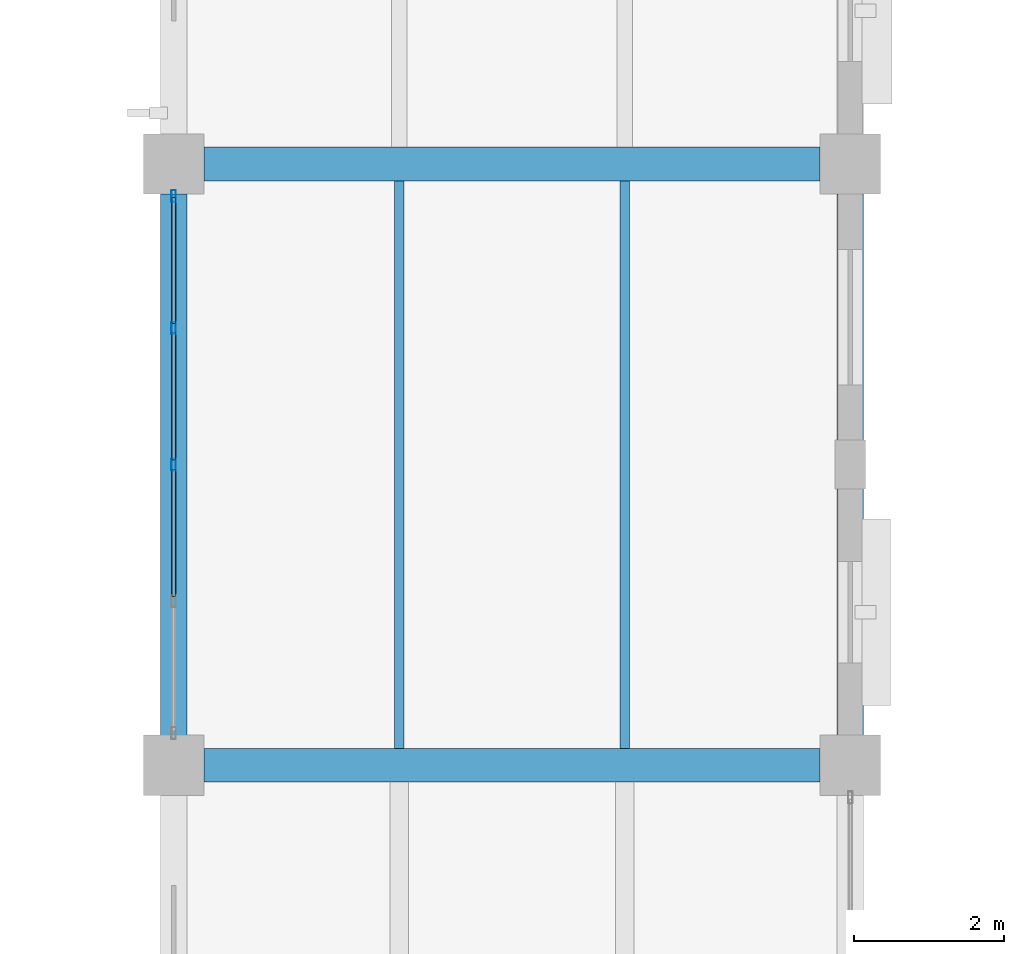
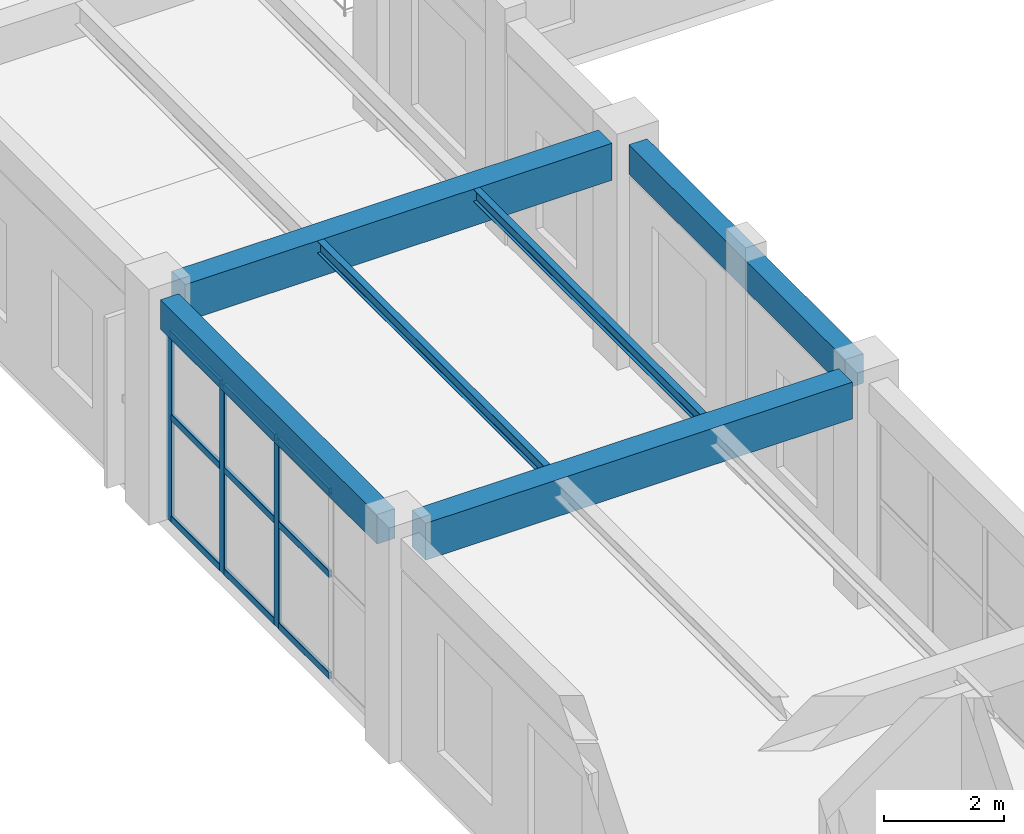
# One storey, part 102 of 178: 12 members, 6 beams, 1 element without a shape of its own.
"""IFC4 building model written with IfcOpenShell, lengths in metres."""

import ifcopenshell
import ifcopenshell.guid

model = None  # the IFC model being written
_history = None  # IfcOwnerHistory: only IFC2X3 demands one
_inside = {}  # id of a spatial element -> (the spatial element, [elements in it])
_under = {}  # id of a project, library or spatial element -> (it, [spatial elements below it])
_declared = {}  # id of a project -> (the project, [libraries it declares])
_typed = {}  # id of a type object -> (the type object, [elements of that type])
_made_of = {}  # id of a material, layer set ... -> (it, [elements and type objects made of it])


def new_model(schema):
    """Start an empty IFC model of exactly this schema.

    Asked for "IFC4X3", IfcOpenShell would pick the latest addendum, in which some entities
    have other attributes; the version numbers below select the first issue.
    IFC2X3 requires an IfcOwnerHistory on every rooted entity: one is made here for all.
    """
    global model, _history
    if schema == "IFC4X3":
        model = ifcopenshell.file(schema_version=(4, 3, 0, 0))
    else:
        model = ifcopenshell.file(schema=schema)
    _inside.clear()
    _under.clear()
    _declared.clear()
    _typed.clear()
    _made_of.clear()
    _history = None
    if model.schema == "IFC2X3":
        org = make("IfcOrganization", Name="unknown")
        user = make(
            "IfcPersonAndOrganization",
            ThePerson=make("IfcPerson", FamilyName="unknown"),
            TheOrganization=org,
        )
        app = make(
            "IfcApplication",
            ApplicationDeveloper=org,
            Version="unknown",
            ApplicationFullName="unknown",
            ApplicationIdentifier="unknown",
        )
        _history = make(
            "IfcOwnerHistory",
            OwningUser=user,
            OwningApplication=app,
            ChangeAction="ADDED",
            CreationDate=0,
        )
    return model


def make(cls, **values):
    """One entity of the class cls with the attributes given. An attribute that is None is left unset."""
    return model.create_entity(
        cls, **{name: value for name, value in values.items() if value is not None}
    )


def rooted(cls, **values):
    """An entity with a GlobalId (a new one), such as an element, a storey or a relation."""
    return make(cls, GlobalId=ifcopenshell.guid.new(), OwnerHistory=_history, **values)


def si_unit(unit_type, name, prefix=None):
    """IfcSIUnit, for example si_unit("LENGTHUNIT", "METRE", prefix="MILLI")."""
    return make("IfcSIUnit", UnitType=unit_type, Prefix=prefix, Name=name)


def derived_unit(unit_type, elements):
    """IfcDerivedUnit: a product of units, each with its exponent."""
    return make(
        "IfcDerivedUnit",
        Elements=[
            make("IfcDerivedUnitElement", Unit=unit, Exponent=power)
            for unit, power in elements
        ],
        UnitType=unit_type,
    )


def assignment(units):
    """IfcUnitAssignment: the units of a project."""
    return None if units is None else make("IfcUnitAssignment", Units=units)


def point(xyz):
    """IfcCartesianPoint."""
    return None if xyz is None else make("IfcCartesianPoint", Coordinates=xyz)


def direction(xyz):
    """IfcDirection."""
    return None if xyz is None else make("IfcDirection", DirectionRatios=xyz)


def frame(location, z_axis=None, x_axis=None):
    """IfcAxis2Placement3D, a coordinate frame: its origin and axes. An axis left out is left unset."""
    return make(
        "IfcAxis2Placement3D",
        Location=point(location),
        Axis=direction(z_axis),
        RefDirection=direction(x_axis),
    )


def frame_2d(location, x_axis=None):
    """IfcAxis2Placement2D, a coordinate frame in the plane: its origin and x axis."""
    return make(
        "IfcAxis2Placement2D", Location=point(location), RefDirection=direction(x_axis)
    )


def origin():
    """The frame at (0, 0, 0) with its axes left unset."""
    return frame((0.0, 0.0, 0.0))


def origin_2d():
    """The frame at (0, 0) in the plane with its x axis left unset."""
    return frame_2d((0.0, 0.0))


def place(relative_to, where):
    """IfcLocalPlacement: puts the frame where relative to a parent placement (None: the world)."""
    return make(
        "IfcLocalPlacement", PlacementRelTo=relative_to, RelativePlacement=where
    )


def context(
    kind, dimensions, precision=None, world=None, true_north=None, identifier=None
):
    """IfcGeometricRepresentationContext, for example the 3D "Model" context."""
    return make(
        "IfcGeometricRepresentationContext",
        ContextIdentifier=identifier,
        ContextType=kind,
        CoordinateSpaceDimension=dimensions,
        Precision=precision,
        WorldCoordinateSystem=world,
        TrueNorth=true_north,
    )


def subcontext(parent, identifier, kind, view, scale=None):
    """IfcGeometricRepresentationSubContext, for example "Body" below "Model"."""
    return make(
        "IfcGeometricRepresentationSubContext",
        ContextIdentifier=identifier,
        ContextType=kind,
        ParentContext=parent,
        TargetScale=scale,
        TargetView=view,
    )


def project(units=None, contexts=None):
    """IfcProject with its units and contexts."""
    return rooted(
        "IfcProject",
        Name="project",
        RepresentationContexts=contexts,
        UnitsInContext=assignment(units),
    )


def spatial(cls, under=None, at=None, **own):
    """A site, building, storey or space (cls), placed at a placement, below another one or the project."""
    s = rooted(cls, ObjectPlacement=at, **own)
    if under is not None:
        _under.setdefault(under.id(), (under, []))[1].append(s)
    return s


def profile(cls, at=None, kind="AREA", **sizes):
    """A parametric profile (cls). Its sizes go by their IFC names, for example OverallWidth=200.0."""
    return make(cls, ProfileType=kind, Position=at, **sizes)


def rectangle(**sizes):
    """IfcRectangleProfileDef."""
    return profile("IfcRectangleProfileDef", **sizes)


def hollow_rectangle(**sizes):
    """IfcRectangleHollowProfileDef."""
    return profile("IfcRectangleHollowProfileDef", **sizes)


def i_section(**sizes):
    """IfcIShapeProfileDef."""
    return profile("IfcIShapeProfileDef", **sizes)


def extrude(swept, where, along, depth):
    """IfcExtrudedAreaSolid: the profile swept, set in the frame where, extruded along a direction by depth."""
    return make(
        "IfcExtrudedAreaSolid",
        SweptArea=swept,
        Position=where,
        ExtrudedDirection=direction(along),
        Depth=depth,
    )


def shape(context_of_items, identifier, shape_type, items):
    """IfcShapeRepresentation: the items that make up one representation, for example the "Body"."""
    return make(
        "IfcShapeRepresentation",
        ContextOfItems=context_of_items,
        RepresentationIdentifier=identifier,
        RepresentationType=shape_type,
        Items=items,
    )


def material(Name=None, Category=None):
    """IfcMaterial."""
    return make("IfcMaterial", Name=Name, Category=Category)


def material_profile(
    of_material, cross_section, Name=None, Category=None, Priority=None
):
    """IfcMaterialProfile: a cross section and its material."""
    return make(
        "IfcMaterialProfile",
        Name=Name,
        Material=of_material,
        Profile=cross_section,
        Priority=Priority,
        Category=Category,
    )


def profile_set(profiles, Name=None, composite=None):
    """IfcMaterialProfileSet."""
    return make(
        "IfcMaterialProfileSet",
        Name=Name,
        MaterialProfiles=profiles,
        CompositeProfile=composite,
    )


def made_of(thing, what):
    """Note that an element or type object is made of a material, layer set ...; save() writes the relation."""
    if what is not None:
        _made_of.setdefault(what.id(), (what, []))[1].append(thing)
    return thing


def type_object(cls, material=None, **own):
    """A type object (cls), such as IfcWallType, which elements share."""
    return made_of(rooted(cls, **own), material)


def element(
    cls,
    number,
    at=None,
    inside=None,
    cuts=None,
    type_object=None,
    material=None,
    context=None,
    identifier="Body",
    shape_type=None,
    held_by="IfcProductDefinitionShape",
    body=None,
    shapes=None,
    **own,
):
    """One element of the class cls, such as IfcWall. Its Tag is "e" and its number.

    at: its placement. inside: the storey or other place that contains it. cuts: it is an
    opening in that element (IfcRelVoidsElement). A single representation is given by context,
    identifier, shape_type and body (its items); several are given by shapes. held_by: the class
    of the entity that holds the representations. save() writes the other relations.
    """
    e = rooted(cls, Tag="e%d" % number, ObjectPlacement=at, **own)
    if body is not None:
        shapes = [shape(context, identifier, shape_type, body)]
    if shapes is not None:
        e.Representation = make(held_by, Representations=shapes)
    if inside is not None:
        _inside.setdefault(inside.id(), (inside, []))[1].append(e)
    if cuts is not None:
        rooted(
            "IfcRelVoidsElement", RelatingBuildingElement=cuts, RelatedOpeningElement=e
        )
    if type_object is not None:
        _typed.setdefault(type_object.id(), (type_object, []))[1].append(e)
    return made_of(e, material)


def aggregate(whole, parts):
    """IfcRelAggregates: a whole, such as a stair, and the parts it consists of."""
    return rooted("IfcRelAggregates", RelatingObject=whole, RelatedObjects=parts)


def save(model, path):
    """Write the relations noted so far, then the file.

    IfcRelAggregates (storeys below a building ...), IfcRelContainedInSpatialStructure (elements
    in a storey), IfcRelDefinesByType, IfcRelAssociatesMaterial and IfcRelDeclares: one each for
    every whole, place, type object, material and project.
    """
    for whole, parts in _under.values():
        aggregate(whole, parts)
    for where, things in _inside.values():
        rooted(
            "IfcRelContainedInSpatialStructure",
            RelatedElements=things,
            RelatingStructure=where,
        )
    for kind, things in _typed.values():
        rooted("IfcRelDefinesByType", RelatedObjects=things, RelatingType=kind)
    for what, things in _made_of.values():
        rooted("IfcRelAssociatesMaterial", RelatedObjects=things, RelatingMaterial=what)
    for by, libraries in _declared.values():
        rooted("IfcRelDeclares", RelatingContext=by, RelatedDefinitions=libraries)
    model.write(path)


model = new_model("IFC4")

# Units and contexts
model_context = context("Model", 3, precision=1e-05, world=origin(), true_north=direction((0.0, 1.0)))
body_context = subcontext(model_context, "Body", "Model", "MODEL_VIEW")
ifc_project = project(units=[si_unit("LENGTHUNIT", "METRE"), si_unit("AREAUNIT", "SQUARE_METRE"), si_unit("VOLUMEUNIT", "CUBIC_METRE"), si_unit("PLANEANGLEUNIT", "RADIAN"), si_unit("MASSUNIT", "GRAM", prefix="KILO"), derived_unit("THERMALTRANSMITTANCEUNIT", [(si_unit("MASSUNIT", "GRAM", prefix="KILO"), 1), (si_unit("TIMEUNIT", "SECOND"), -3), (si_unit("THERMODYNAMICTEMPERATUREUNIT", "KELVIN"), -1)])], contexts=[model_context])

# Site, building, storey
site_placement = place(None, origin())
site = spatial("IfcSite", under=ifc_project, at=site_placement, CompositionType="ELEMENT")
building_placement = place(site_placement, origin())
building = spatial("IfcBuilding", under=site, at=building_placement, Name="Zhenchuan Archway Interchange", CompositionType="ELEMENT")
storey_placement = place(building_placement, frame((0.0, 0.0, 5.39990234375)))
storey = spatial("IfcBuildingStorey", under=building, at=storey_placement, Name="L01", CompositionType="ELEMENT", Elevation=5.39990234375)

# Beams
ifc_material_1 = material(Name="Concrete C40", Category="concrete")
ifc_material_profile_1 = material_profile(ifc_material_1, rectangle(XDim=0.449951171875, YDim=0.75, at=origin_2d()), Name="RC 450x750")
ifc_profile_set_1 = profile_set([ifc_material_profile_1], Name="Concrete C40")
beam_type_1 = type_object("IfcBeamType", Name="BM_RC_450x750", PredefinedType="BEAM", material=ifc_profile_set_1)
for number, where, z_axis, x_axis, name in (
    (1, (99.39990234375, 72.0, 4.135009765625), (1.0, 0.0, 0.0), (0.0, 1.0, 0.0), "Beam K:12-13 (L01)"),
    (2, (99.39990234375, 80.0, 4.135009765625), (1.0, 0.0, 0.0), (0.0, 1.0, 0.0), "Beam L:12-13 (L01)"),
):
    element("IfcBeam", number, at=place(storey_placement, frame(where, z_axis=z_axis, x_axis=x_axis)), inside=storey, type_object=beam_type_1, Name=name, PredefinedType="BEAM", context=body_context, shape_type="SweptSolid", body=[
        extrude(rectangle(XDim=0.449951171875, YDim=0.75, at=origin_2d()), origin(), (0.0, 0.0, 1.0), 8.2001953125),
    ])

# Curtain wall, members
ifc_material_2 = material(Name="Anodised Aluminium", Category="aluminium")
curtain_wall_type = type_object("IfcCurtainWallType", Name="CW_UNIT_4", PredefinedType="NOTDEFINED", material=ifc_material_2)
curtain_wall_placement = place(storey_placement, origin())
curtain_wall = element("IfcCurtainWall", 3, at=curtain_wall_placement, inside=storey, type_object=curtain_wall_type, Name="Unitised curtain wall CW:L01:059", PredefinedType="NOTDEFINED")
ifc_material_profile_2 = material_profile(ifc_material_2, hollow_rectangle(XDim=0.06005859375, YDim=0.159912109375, WallThickness=0.00390625, InnerFilletRadius=0.00390625, OuterFilletRadius=0.008056640625, at=origin_2d()), Name="ALU 160x60x4")
ifc_profile_set_2 = profile_set([ifc_material_profile_2], Name="Anodised Aluminium")
member_type_1 = type_object("IfcMemberType", Name="CW_MUL_150", PredefinedType="MULLION", material=ifc_profile_set_2)
member_1_placement = place(storey_placement, frame((99.0, 76.0, 0.0), z_axis=(0.0, 0.0, 1.0), x_axis=(1.0, 0.0, 0.0)))
member_1 = element("IfcMember", 4, at=member_1_placement, type_object=member_type_1, Name="CW:L01:059 mullion 2", PredefinedType="MULLION", context=body_context, shape_type="SweptSolid", body=[
    extrude(hollow_rectangle(XDim=0.06005859375, YDim=0.159912109375, WallThickness=0.00390625, InnerFilletRadius=0.00390625, OuterFilletRadius=0.008056640625, at=origin_2d()), origin(), (0.0, 0.0, 1.0), 3.880126953125),
])
member_2_placement = place(storey_placement, frame((99.0, 77.81591796875, 0.0), z_axis=(0.0, 0.0, 1.0), x_axis=(1.0, 0.0, 0.0)))
member_2 = element("IfcMember", 5, at=member_2_placement, type_object=member_type_1, Name="CW:L01:059 mullion 3", PredefinedType="MULLION", context=body_context, shape_type="SweptSolid", body=[
    extrude(hollow_rectangle(XDim=0.06005859375, YDim=0.159912109375, WallThickness=0.00390625, InnerFilletRadius=0.00390625, OuterFilletRadius=0.008056640625, at=origin_2d()), origin(), (0.0, 0.0, 1.0), 3.880126953125),
])
member_3_placement = place(storey_placement, frame((99.0, 79.572021484375, 0.0), z_axis=(0.0, 0.0, 1.0), x_axis=(1.0, 0.0, 0.0)))
member_3 = element("IfcMember", 6, at=member_3_placement, type_object=member_type_1, Name="CW:L01:059 mullion 4", PredefinedType="MULLION", context=body_context, shape_type="SweptSolid", body=[
    extrude(hollow_rectangle(XDim=0.06005859375, YDim=0.159912109375, WallThickness=0.00390625, InnerFilletRadius=0.00390625, OuterFilletRadius=0.008056640625, at=origin_2d()), origin(), (0.0, 0.0, 1.0), 3.880126953125),
])
ifc_material_profile_3 = material_profile(ifc_material_2, hollow_rectangle(XDim=0.06005859375, YDim=0.139892578125, WallThickness=0.00341796875, InnerFilletRadius=0.00341796875, OuterFilletRadius=0.007080078125, at=origin_2d()), Name="ALU 140x60x3.5")
ifc_profile_set_3 = profile_set([ifc_material_profile_3], Name="Anodised Aluminium")
member_type_2 = type_object("IfcMemberType", Name="CW_TRN_140", PredefinedType="USERDEFINED", material=ifc_profile_set_3)
member_4_placement = place(storey_placement, frame((99.0, 74.243896484375, 0.06005859375), z_axis=(0.0, 1.0, 0.0), x_axis=(-1.0, 0.0, 0.0)))
member_4 = element("IfcMember", 7, at=member_4_placement, type_object=member_type_2, Name="CW:L01:059 transom 1-1", ObjectType="TRANSOM", PredefinedType="USERDEFINED", context=body_context, shape_type="SweptSolid", body=[
    extrude(hollow_rectangle(XDim=0.06005859375, YDim=0.139892578125, WallThickness=0.00341796875, InnerFilletRadius=0.00341796875, OuterFilletRadius=0.007080078125, at=origin_2d()), origin(), (0.0, 0.0, 1.0), 1.696044921875),
])
member_5_placement = place(storey_placement, frame((99.0, 74.243896484375, 2.123046875), z_axis=(0.0, 1.0, 0.0), x_axis=(-1.0, 0.0, 0.0)))
member_5 = element("IfcMember", 8, at=member_5_placement, type_object=member_type_2, Name="CW:L01:059 transom 1-2", ObjectType="TRANSOM", PredefinedType="USERDEFINED", context=body_context, shape_type="SweptSolid", body=[
    extrude(hollow_rectangle(XDim=0.06005859375, YDim=0.139892578125, WallThickness=0.00341796875, InnerFilletRadius=0.00341796875, OuterFilletRadius=0.007080078125, at=origin_2d()), origin(), (0.0, 0.0, 1.0), 1.696044921875),
])
member_6_placement = place(storey_placement, frame((99.0, 74.243896484375, 3.800048828125), z_axis=(0.0, 1.0, 0.0), x_axis=(-1.0, 0.0, 0.0)))
member_6 = element("IfcMember", 9, at=member_6_placement, type_object=member_type_2, Name="CW:L01:059 transom 1-3", ObjectType="TRANSOM", PredefinedType="USERDEFINED", context=body_context, shape_type="SweptSolid", body=[
    extrude(hollow_rectangle(XDim=0.06005859375, YDim=0.139892578125, WallThickness=0.00341796875, InnerFilletRadius=0.00341796875, OuterFilletRadius=0.007080078125, at=origin_2d()), origin(), (0.0, 0.0, 1.0), 1.696044921875),
])
member_7_placement = place(storey_placement, frame((99.0, 76.06005859375, 0.06005859375), z_axis=(0.0, 1.0, 0.0), x_axis=(-1.0, 0.0, 0.0)))
member_7 = element("IfcMember", 10, at=member_7_placement, type_object=member_type_2, Name="CW:L01:059 transom 2-1", ObjectType="TRANSOM", PredefinedType="USERDEFINED", context=body_context, shape_type="SweptSolid", body=[
    extrude(hollow_rectangle(XDim=0.06005859375, YDim=0.139892578125, WallThickness=0.00341796875, InnerFilletRadius=0.00341796875, OuterFilletRadius=0.007080078125, at=origin_2d()), origin(), (0.0, 0.0, 1.0), 1.696044921875),
])
member_8_placement = place(storey_placement, frame((99.0, 76.06005859375, 2.123046875), z_axis=(0.0, 1.0, 0.0), x_axis=(-1.0, 0.0, 0.0)))
member_8 = element("IfcMember", 11, at=member_8_placement, type_object=member_type_2, Name="CW:L01:059 transom 2-2", ObjectType="TRANSOM", PredefinedType="USERDEFINED", context=body_context, shape_type="SweptSolid", body=[
    extrude(hollow_rectangle(XDim=0.06005859375, YDim=0.139892578125, WallThickness=0.00341796875, InnerFilletRadius=0.00341796875, OuterFilletRadius=0.007080078125, at=origin_2d()), origin(), (0.0, 0.0, 1.0), 1.696044921875),
])
member_9_placement = place(storey_placement, frame((99.0, 76.06005859375, 3.800048828125), z_axis=(0.0, 1.0, 0.0), x_axis=(-1.0, 0.0, 0.0)))
member_9 = element("IfcMember", 12, at=member_9_placement, type_object=member_type_2, Name="CW:L01:059 transom 2-3", ObjectType="TRANSOM", PredefinedType="USERDEFINED", context=body_context, shape_type="SweptSolid", body=[
    extrude(hollow_rectangle(XDim=0.06005859375, YDim=0.139892578125, WallThickness=0.00341796875, InnerFilletRadius=0.00341796875, OuterFilletRadius=0.007080078125, at=origin_2d()), origin(), (0.0, 0.0, 1.0), 1.696044921875),
])
member_10_placement = place(storey_placement, frame((99.0, 77.8759765625, 0.06005859375), z_axis=(0.0, 1.0, 0.0), x_axis=(-1.0, 0.0, 0.0)))
member_10 = element("IfcMember", 13, at=member_10_placement, type_object=member_type_2, Name="CW:L01:059 transom 3-1", ObjectType="TRANSOM", PredefinedType="USERDEFINED", context=body_context, shape_type="SweptSolid", body=[
    extrude(hollow_rectangle(XDim=0.06005859375, YDim=0.139892578125, WallThickness=0.00341796875, InnerFilletRadius=0.00341796875, OuterFilletRadius=0.007080078125, at=origin_2d()), origin(), (0.0, 0.0, 1.0), 1.676025390625),
])
member_11_placement = place(storey_placement, frame((99.0, 77.8759765625, 2.123046875), z_axis=(0.0, 1.0, 0.0), x_axis=(-1.0, 0.0, 0.0)))
member_11 = element("IfcMember", 14, at=member_11_placement, type_object=member_type_2, Name="CW:L01:059 transom 3-2", ObjectType="TRANSOM", PredefinedType="USERDEFINED", context=body_context, shape_type="SweptSolid", body=[
    extrude(hollow_rectangle(XDim=0.06005859375, YDim=0.139892578125, WallThickness=0.00341796875, InnerFilletRadius=0.00341796875, OuterFilletRadius=0.007080078125, at=origin_2d()), origin(), (0.0, 0.0, 1.0), 1.676025390625),
])
member_12_placement = place(storey_placement, frame((99.0, 77.8759765625, 3.800048828125), z_axis=(0.0, 1.0, 0.0), x_axis=(-1.0, 0.0, 0.0)))
member_12 = element("IfcMember", 15, at=member_12_placement, type_object=member_type_2, Name="CW:L01:059 transom 3-3", ObjectType="TRANSOM", PredefinedType="USERDEFINED", context=body_context, shape_type="SweptSolid", body=[
    extrude(hollow_rectangle(XDim=0.06005859375, YDim=0.139892578125, WallThickness=0.00341796875, InnerFilletRadius=0.00341796875, OuterFilletRadius=0.007080078125, at=origin_2d()), origin(), (0.0, 0.0, 1.0), 1.676025390625),
])
aggregate(curtain_wall, [member_1, member_2, member_3, member_4, member_5, member_6, member_7, member_8, member_9, member_10, member_11, member_12])

# Beams
ifc_material_3 = material(Name="Steel Q355", Category="steel")
ifc_material_profile_4 = material_profile(ifc_material_3, i_section(OverallWidth=0.125, OverallDepth=0.25, WebThickness=0.006103515625, FlangeThickness=0.009033203125, FilletRadius=0.011962890625, at=origin_2d()), Name="HN 250x125")
ifc_profile_set_4 = profile_set([ifc_material_profile_4], Name="Steel Q355")
beam_type_2 = type_object("IfcBeamType", Name="JST_STL_HN250", PredefinedType="JOIST", material=ifc_profile_set_4)
for number, where, z_axis, x_axis, name in (
    (16, (102.0, 72.22509765625, 4.385009765625), (0.0, 1.0, 0.0), (-1.0, 0.0, 0.0), "Secondary joist 12-13/K-L #1 (L01)"),
    (17, (105.0, 72.22509765625, 4.385009765625), (0.0, 1.0, 0.0), (-1.0, 0.0, 0.0), "Secondary joist 12-13/K-L #2 (L01)"),
):
    element("IfcBeam", number, at=place(storey_placement, frame(where, z_axis=z_axis, x_axis=x_axis)), inside=storey, type_object=beam_type_2, Name=name, PredefinedType="JOIST", context=body_context, shape_type="SweptSolid", body=[
        extrude(i_section(OverallWidth=0.125, OverallDepth=0.25, WebThickness=0.006103515625, FlangeThickness=0.009033203125, FilletRadius=0.011962890625, at=origin_2d()), origin(), (0.0, 0.0, 1.0), 7.5498046875),
    ])
ifc_material_profile_5 = material_profile(ifc_material_1, rectangle(XDim=0.35009765625, YDim=0.60009765625, at=origin_2d()), Name="RC 350x600")
ifc_profile_set_5 = profile_set([ifc_material_profile_5], Name="Concrete C40")
beam_type_3 = type_object("IfcBeamType", Name="SP_RC_350x600", PredefinedType="SPANDREL", material=ifc_profile_set_5)
for number, where, z_axis, x_axis, name in (
    (18, (99.0, 72.39990234375, 4.210205078125), (0.0, 1.0, 0.0), (-1.0, 0.0, 0.0), "Beam 12:K-L (L01)"),
    (19, (108.0, 72.39990234375, 4.210205078125), (0.0, 1.0, 0.0), (-1.0, 0.0, 0.0), "Beam 13:K-L (L01)"),
):
    element("IfcBeam", number, at=place(storey_placement, frame(where, z_axis=z_axis, x_axis=x_axis)), inside=storey, type_object=beam_type_3, Name=name, PredefinedType="SPANDREL", context=body_context, shape_type="SweptSolid", body=[
        extrude(rectangle(XDim=0.35009765625, YDim=0.60009765625, at=origin_2d()), origin(), (0.0, 0.0, 1.0), 7.2001953125),
    ])

save(model, "model.ifc")
